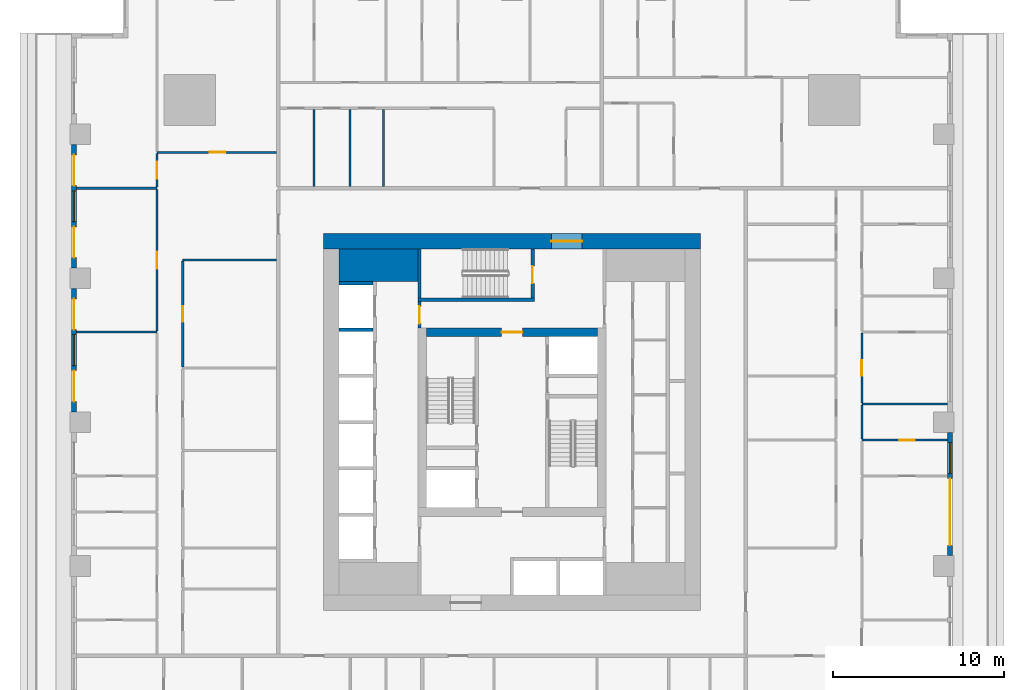
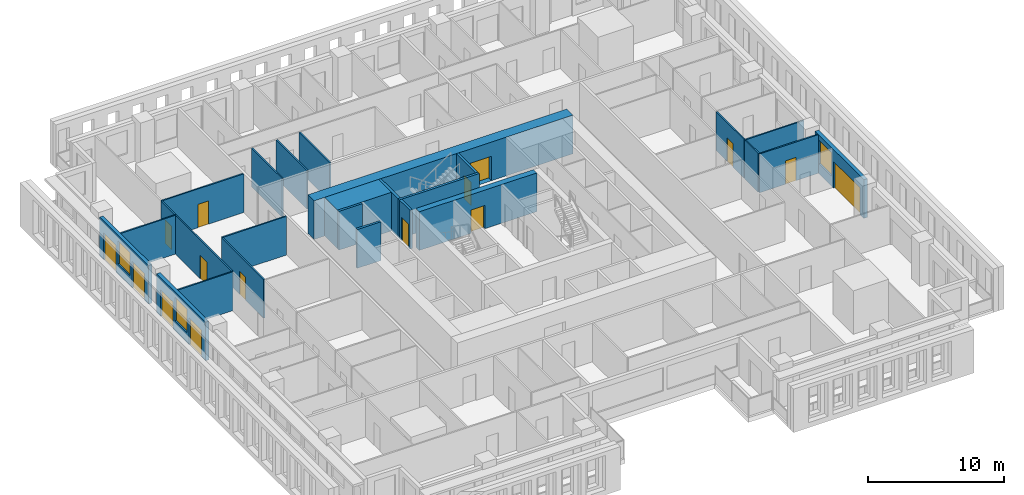
# One storey, part 6 of 15: 26 walls, 15 doors, 3 windows, 18 openings.
"""IFC4 building model written with IfcOpenShell, lengths in metres."""

from ifc_helpers import new_model, si_unit, direction, frame, frame_2d, origin, place, context, subcontext, project, spatial, rectangle, extrude, material, layer, layer_set, type_object, element, fill, save


model = new_model("IFC4")

# Units and contexts
model_context = context("Model", 3, precision=1e-05, world=origin(), true_north=direction((0.0, 1.0)))
body_context = subcontext(model_context, "Body", "Model", "MODEL_VIEW")
ifc_project = project(units=[si_unit("LENGTHUNIT", "METRE"), si_unit("AREAUNIT", "SQUARE_METRE"), si_unit("VOLUMEUNIT", "CUBIC_METRE"), si_unit("PLANEANGLEUNIT", "RADIAN"), si_unit("MASSUNIT", "GRAM", prefix="KILO")], contexts=[model_context])

# Site, building, storey
site_placement = place(None, origin())
site = spatial("IfcSite", under=ifc_project, at=site_placement, CompositionType="ELEMENT")
building_placement = place(site_placement, origin())
building = spatial("IfcBuilding", under=site, at=building_placement, Name="Khepri Terraces", CompositionType="ELEMENT")
storey_placement = place(building_placement, frame((0.0, 0.0, 42.60009765625)))
storey = spatial("IfcBuildingStorey", under=building, at=storey_placement, Name="L09", CompositionType="ELEMENT", Elevation=42.60009765625)

# Walls
ifc_material_1 = material(Name="Concrete C80/95", Category="concrete")
ifc_layer_1 = layer(ifc_material_1, 1.89990234375, Name="Concrete C80/95", Category="concrete")
ifc_layer_set_1 = layer_set([ifc_layer_1], Name="Concrete C80/95")
wall_type_1 = type_object("IfcWallType", Name="Core wall 1900 C80/95", PredefinedType="SHEAR", material=ifc_layer_set_1)
wall_1_placement = place(storey_placement, frame((-10.10009765625, 9.14990234375, 0.0), z_axis=(0.0, 0.0, 1.0), x_axis=(1.0, 0.0, 0.0)))
element("IfcWall", 1, at=wall_1_placement, inside=storey, type_object=wall_type_1, Name="Core wall PR03 L09", PredefinedType="SHEAR", context=body_context, shape_type="SweptSolid", body=[
    extrude(rectangle(XDim=4.60009765625, YDim=1.89990234375, at=frame_2d((2.300048828125, 0.0))), origin(), (0.0, 0.0, 1.0), 3.47998046875),
])
ifc_layer_2 = layer(ifc_material_1, 0.199951171875, Name="Concrete C80/95", Category="concrete")
ifc_layer_set_2 = layer_set([ifc_layer_2], Name="Concrete C80/95")
wall_type_2 = type_object("IfcWallType", Name="Core wall 200 C80/95", PredefinedType="SHEAR", material=ifc_layer_set_2)
wall_2_placement = place(storey_placement, frame((-5.5, 7.14990234375, 0.0), z_axis=(0.0, 0.0, 1.0), x_axis=(1.0, 0.0, 0.0)))
element("IfcWall", 2, at=wall_2_placement, inside=storey, type_object=wall_type_2, Name="Core wall ST05 L09", PredefinedType="SHEAR", context=body_context, shape_type="SweptSolid", body=[
    extrude(rectangle(XDim=6.800048828125, YDim=0.199951171875, at=frame_2d((3.39990234375, 0.0))), origin(), (0.0, 0.0, 1.0), 3.47998046875),
])
wall_3_placement = place(storey_placement, frame((-5.39990234375, 7.25, 0.0), z_axis=(0.0, 0.0, 1.0), x_axis=(0.0, 1.0, 0.0)))
element("IfcWall", 3, at=wall_3_placement, inside=storey, type_object=wall_type_2, Name="Core wall ST06 L09", PredefinedType="SHEAR", context=body_context, shape_type="SweptSolid", body=[
    extrude(rectangle(XDim=2.85009765625, YDim=0.199951171875, at=frame_2d((1.425048828125, 0.0))), origin(), (0.0, 0.0, 1.0), 3.47998046875),
])

# Wall, opening, door
wall_4_placement = place(storey_placement, frame((1.199951171875, 7.25, 0.0), z_axis=(0.0, 0.0, 1.0), x_axis=(0.0, 1.0, 0.0)))
wall_4 = element("IfcWall", 4, at=wall_4_placement, inside=storey, type_object=wall_type_2, Name="Core wall ST07 L09", PredefinedType="SHEAR", context=body_context, shape_type="SweptSolid", body=[
    extrude(rectangle(XDim=2.85009765625, YDim=0.199951171875, at=frame_2d((1.425048828125, 0.0))), origin(), (0.0, 0.0, 1.0), 3.47998046875),
])
opening_1_placement = place(wall_4_placement, frame((0.85009765625, 0.0, 0.0)))
opening_1 = element("IfcOpeningElement", 5, at=opening_1_placement, cuts=wall_4, Name="Opening L09-C15", PredefinedType="OPENING", context=body_context, shape_type="SweptSolid", body=[
    extrude(rectangle(XDim=1.0, YDim=2.10009765625, at=frame_2d((0.5, 1.050048828125))), frame((0.0, 0.10986328125, 0.0), z_axis=(0.0, -1.0, 0.0), x_axis=(1.0, 0.0, 0.0)), (0.0, 0.0, 1.0), 0.219970703125),
])
ifc_material_2 = material(Name="Painted steel", Category="steel")
door_type_1 = type_object("IfcDoorType", Name="DR-CORE-STAIR-1000", OperationType="NOTDEFINED", PredefinedType="DOOR", material=ifc_material_2)
door_1_placement = place(opening_1_placement, origin())
door_1 = element("IfcDoor", 6, at=door_1_placement, inside=storey, type_object=door_type_1, Name="Stair door L09-C15", OperationType="SINGLE_SWING_LEFT", OverallHeight=2.10009765625, OverallWidth=1.0, PredefinedType="DOOR", context=body_context, shape_type="SweptSolid", body=[
    extrude(rectangle(XDim=1.0, YDim=2.10009765625, at=frame_2d((0.5, 1.050048828125))), frame((0.0, 0.02490234375, 0.0), z_axis=(0.0, -1.0, 0.0), x_axis=(1.0, 0.0, 0.0)), (0.0, 0.0, 1.0), 0.050048828125),
])
fill(opening_1, door_1)

# Walls
for number, where, z_axis, x_axis, name in (
    (7, (-10.10009765625, 5.39990234375, 0.0), (0.0, 0.0, 1.0), (1.0, 0.0, 0.0), "Core wall SH19 L09"),
    (8, (-10.10009765625, 8.10009765625, 0.0), (0.0, 0.0, 1.0), (1.0, 0.0, 0.0), "Core wall SH20 L09"),
):
    element("IfcWall", number, at=place(storey_placement, frame(where, z_axis=z_axis, x_axis=x_axis)), inside=storey, type_object=wall_type_2, Name=name, PredefinedType="SHEAR", context=body_context, shape_type="SweptSolid", body=[
        extrude(rectangle(XDim=2.0, YDim=0.199951171875, at=frame_2d((1.0, 0.0))), origin(), (0.0, 0.0, 1.0), 3.47998046875),
    ])

# Wall, opening, door
ifc_layer_3 = layer(ifc_material_1, 0.5, Name="Concrete C80/95", Category="concrete")
ifc_layer_set_3 = layer_set([ifc_layer_3], Name="Concrete C80/95")
wall_type_3 = type_object("IfcWallType", Name="Core wall 500 C80/95", PredefinedType="SHEAR", material=ifc_layer_set_3)
wall_5_placement = place(storey_placement, frame((-5.0, 5.25, 0.0), z_axis=(0.0, 0.0, 1.0), x_axis=(1.0, 0.0, 0.0)))
wall_5 = element("IfcWall", 9, at=wall_5_placement, inside=storey, type_object=wall_type_3, Name="Core wall BX04 L09", PredefinedType="SHEAR", context=body_context, shape_type="SweptSolid", body=[
    extrude(rectangle(XDim=10.0, YDim=0.5, at=frame_2d((5.0, 0.0))), origin(), (0.0, 0.0, 1.0), 3.47998046875),
])
opening_2_placement = place(wall_5_placement, frame((4.39990234375, 0.0, 0.0)))
opening_2 = element("IfcOpeningElement", 10, at=opening_2_placement, cuts=wall_5, Name="Opening L09-C13", PredefinedType="OPENING", context=body_context, shape_type="SweptSolid", body=[
    extrude(rectangle(XDim=1.199951171875, YDim=2.10009765625, at=frame_2d((0.60009765625, 1.050048828125))), frame((0.0, 0.260009765625, 0.0), z_axis=(0.0, -1.0, 0.0), x_axis=(1.0, 0.0, 0.0)), (0.0, 0.0, 1.0), 0.52001953125),
])
door_type_2 = type_object("IfcDoorType", Name="DR-CORE-FF-LOBBY-1200", OperationType="NOTDEFINED", PredefinedType="DOOR", material=ifc_material_2)
door_2_placement = place(opening_2_placement, frame((1.199951171875, 0.0, 0.0), z_axis=(0.0, 0.0, 1.0), x_axis=(-1.0, 0.0, 0.0)))
door_2 = element("IfcDoor", 11, at=door_2_placement, inside=storey, type_object=door_type_2, Name="Firefighting lobby door L09-C13", OperationType="SINGLE_SWING_LEFT", OverallHeight=2.10009765625, OverallWidth=1.199951171875, PredefinedType="DOOR", context=body_context, shape_type="SweptSolid", body=[
    extrude(rectangle(XDim=1.199951171875, YDim=2.10009765625, at=frame_2d((0.60009765625, 1.050048828125))), frame((0.0, 0.02490234375, 0.0), z_axis=(0.0, -1.0, 0.0), x_axis=(1.0, 0.0, 0.0)), (0.0, 0.0, 1.0), 0.050048828125),
])
fill(opening_2, door_2)

ifc_layer_4 = layer(ifc_material_1, 0.89990234375, Name="Concrete C80/95", Category="concrete")
ifc_layer_set_4 = layer_set([ifc_layer_4], Name="Concrete C80/95")
wall_type_4 = type_object("IfcWallType", Name="Core wall 900 C80/95", PredefinedType="SHEAR", material=ifc_layer_set_4)
wall_6_placement = place(storey_placement, frame((-11.0, 10.550048828125, 0.0), z_axis=(0.0, 0.0, 1.0), x_axis=(1.0, 0.0, 0.0)))
wall_6 = element("IfcWall", 12, at=wall_6_placement, inside=storey, type_object=wall_type_4, Name="Core wall OW-N L09", PredefinedType="SHEAR", context=body_context, shape_type="SweptSolid", body=[
    extrude(rectangle(XDim=22.0, YDim=0.89990234375, at=frame_2d((11.0, 0.0))), origin(), (0.0, 0.0, 1.0), 3.47998046875),
])
opening_3_placement = place(wall_6_placement, frame((13.300048828125, 0.0, 0.0)))
opening_3 = element("IfcOpeningElement", 13, at=opening_3_placement, cuts=wall_6, Name="Opening L09-C20", PredefinedType="OPENING", context=body_context, shape_type="SweptSolid", body=[
    extrude(rectangle(XDim=1.800048828125, YDim=2.199951171875, at=frame_2d((0.89990234375, 1.10009765625))), frame((0.0, 0.4599609375, 0.0), z_axis=(0.0, -1.0, 0.0), x_axis=(1.0, 0.0, 0.0)), (0.0, 0.0, 1.0), 0.919921875),
])
door_type_3 = type_object("IfcDoorType", Name="DR-CORE-ENTRANCE-1800", OperationType="NOTDEFINED", PredefinedType="DOOR", material=ifc_material_2)
door_3_placement = place(opening_3_placement, origin())
door_3 = element("IfcDoor", 14, at=door_3_placement, inside=storey, type_object=door_type_3, Name="Core entrance door pair L09-C20", OperationType="DOUBLE_DOOR_SINGLE_SWING", OverallHeight=2.199951171875, OverallWidth=1.800048828125, PredefinedType="DOOR", context=body_context, shape_type="SweptSolid", body=[
    extrude(rectangle(XDim=1.800048828125, YDim=2.199951171875, at=frame_2d((0.89990234375, 1.10009765625))), frame((0.0, 0.02490234375, 0.0), z_axis=(0.0, -1.0, 0.0), x_axis=(1.0, 0.0, 0.0)), (0.0, 0.0, 1.0), 0.050048828125),
])
fill(opening_3, door_3)

ifc_material_3 = material(Name="Fire-rated gypsum board partition")
ifc_layer_5 = layer(ifc_material_3, 0.199951171875, Name="Fire-rated gypsum board partition")
ifc_layer_set_5 = layer_set([ifc_layer_5], Name="Fire-rated gypsum board partition")
wall_type_5 = type_object("IfcWallType", Name="WL-CORE-PART-200", PredefinedType="PARTITIONING", material=ifc_layer_set_5)
wall_7_placement = place(storey_placement, frame((-5.39990234375, 5.5, 0.0), z_axis=(0.0, 0.0, 1.0), x_axis=(0.0, 1.0, 0.0)))
wall_7 = element("IfcWall", 15, at=wall_7_placement, inside=storey, type_object=wall_type_5, Name="Core partition PT08 L09", PredefinedType="PARTITIONING", context=body_context, shape_type="SweptSolid", body=[
    extrude(rectangle(XDim=1.550048828125, YDim=0.199951171875, at=frame_2d((0.77490234375, 0.0))), origin(), (0.0, 0.0, 1.0), 3.47998046875),
])
opening_4_placement = place(wall_7_placement, frame((0.25, 0.0, 0.0)))
opening_4 = element("IfcOpeningElement", 16, at=opening_4_placement, cuts=wall_7, Name="Opening L09-C16", PredefinedType="OPENING", context=body_context, shape_type="SweptSolid", body=[
    extrude(rectangle(XDim=1.0, YDim=2.10009765625, at=frame_2d((0.5, 1.050048828125))), frame((0.0, 0.10986328125, 0.0), z_axis=(0.0, -1.0, 0.0), x_axis=(1.0, 0.0, 0.0)), (0.0, 0.0, 1.0), 0.219970703125),
])
door_type_4 = type_object("IfcDoorType", Name="DR-CORE-LOBBY-1000", OperationType="NOTDEFINED", PredefinedType="DOOR", material=ifc_material_2)
door_4_placement = place(opening_4_placement, frame((1.0, 0.0, 0.0), z_axis=(0.0, 0.0, 1.0), x_axis=(-1.0, 0.0, 0.0)))
door_4 = element("IfcDoor", 17, at=door_4_placement, inside=storey, type_object=door_type_4, Name="Lobby door L09-C16", OperationType="SINGLE_SWING_RIGHT", OverallHeight=2.10009765625, OverallWidth=1.0, PredefinedType="DOOR", context=body_context, shape_type="SweptSolid", body=[
    extrude(rectangle(XDim=1.0, YDim=2.10009765625, at=frame_2d((0.5, 1.050048828125))), frame((0.0, 0.02490234375, 0.0), z_axis=(0.0, -1.0, 0.0), x_axis=(1.0, 0.0, 0.0)), (0.0, 0.0, 1.0), 0.050048828125),
])
fill(opening_4, door_4)

# Wall, openings, door, window
ifc_material_4 = material(Name="Precast concrete C50/60 warm stone", Category="masonry")
ifc_layer_6 = layer(ifc_material_4, 0.300048828125, Name="Precast concrete C50/60 warm stone", Category="masonry")
ifc_layer_set_6 = layer_set([ifc_layer_6], Name="Precast concrete C50/60 warm stone")
wall_type_6 = type_object("IfcWallType", Name="WL-EXT-PRECAST-300", PredefinedType="STANDARD", material=ifc_layer_set_6)
wall_8_placement = place(storey_placement, frame((25.570068359375, -7.800048828125, 0.0), z_axis=(0.0, 0.0, 1.0), x_axis=(0.0, 1.0, 0.0)))
wall_8 = element("IfcWall", 18, at=wall_8_placement, inside=storey, type_object=wall_type_6, Name="External wall L09 E", PredefinedType="STANDARD", context=body_context, shape_type="SweptSolid", body=[
    extrude(rectangle(XDim=7.199951171875, YDim=0.300048828125, at=frame_2d((3.60009765625, 0.0))), origin(), (0.0, 0.0, 1.0), 3.47998046875),
])
opening_5_placement = place(wall_8_placement, frame((0.60009765625, 0.0, 0.0)))
opening_5 = element("IfcOpeningElement", 19, at=opening_5_placement, cuts=wall_8, Name="Opening ED-L09-04", PredefinedType="OPENING", context=body_context, shape_type="SweptSolid", body=[
    extrude(rectangle(XDim=3.89990234375, YDim=2.39990234375, at=frame_2d((1.949951171875, 1.199951171875))), frame((0.0, 0.16015625, 0.0), z_axis=(0.0, -1.0, 0.0), x_axis=(1.0, 0.0, 0.0)), (0.0, 0.0, 1.0), 0.320068359375),
])
opening_6_placement = place(wall_8_placement, frame((4.800048828125, 0.0, 0.89990234375)))
opening_6 = element("IfcOpeningElement", 20, at=opening_6_placement, cuts=wall_8, Name="Opening W1", PredefinedType="OPENING", context=body_context, shape_type="SweptSolid", body=[
    extrude(rectangle(XDim=1.800048828125, YDim=2.10009765625, at=frame_2d((0.89990234375, 1.050048828125))), frame((0.0, 0.16015625, 0.0), z_axis=(0.0, -1.0, 0.0), x_axis=(1.0, 0.0, 0.0)), (0.0, 0.0, 1.0), 0.320068359375),
])
ifc_material_5 = material(Name="Anodised aluminium bronze glazed door", Category="aluminium")
door_type_5 = type_object("IfcDoorType", Name="DR-BAL-SLIDE-3900x2400", OperationType="NOTDEFINED", PredefinedType="DOOR", material=ifc_material_5)
door_5_placement = place(opening_5_placement, origin())
door_5 = element("IfcDoor", 21, at=door_5_placement, inside=storey, type_object=door_type_5, Name="Balcony door L09 E", OperationType="SLIDING_TO_LEFT", OverallHeight=2.39990234375, OverallWidth=3.89990234375, PredefinedType="DOOR", context=body_context, shape_type="SweptSolid", body=[
    extrude(rectangle(XDim=3.89990234375, YDim=2.39990234375, at=frame_2d((1.949951171875, 1.199951171875))), frame((0.0, 0.02490234375, 0.0), z_axis=(0.0, -1.0, 0.0), x_axis=(1.0, 0.0, 0.0)), (0.0, 0.0, 1.0), 0.050048828125),
])
fill(opening_5, door_5)
ifc_material_6 = material(Name="Clear glass", Category="glass")
window_type = type_object("IfcWindowType", Name="WIN-RES-1800x2100", PartitioningType="SINGLE_PANEL", PredefinedType="WINDOW", material=ifc_material_6)
window_1_placement = place(opening_6_placement, origin())
window_1 = element("IfcWindow", 22, at=window_1_placement, inside=storey, type_object=window_type, Name="Window L09 E", OverallHeight=2.10009765625, OverallWidth=1.800048828125, PartitioningType="SINGLE_PANEL", PredefinedType="WINDOW", context=body_context, shape_type="SweptSolid", body=[
    extrude(rectangle(XDim=1.800048828125, YDim=2.10009765625, at=frame_2d((0.89990234375, 1.050048828125))), frame((0.0, 0.030029296875, 0.0), z_axis=(0.0, -1.0, 0.0), x_axis=(1.0, 0.0, 0.0)), (0.0, 0.0, 1.0), 0.06005859375),
])
fill(opening_6, window_1)

# Wall, openings, doors, window
wall_9_placement = place(storey_placement, frame((-25.570068359375, 16.199951171875, 0.0), z_axis=(0.0, 0.0, 1.0), x_axis=(0.0, -1.0, 0.0)))
wall_9 = element("IfcWall", 23, at=wall_9_placement, inside=storey, type_object=wall_type_6, Name="External wall L09 W", PredefinedType="STANDARD", context=body_context, shape_type="SweptSolid", body=[
    extrude(rectangle(XDim=7.199951171875, YDim=0.300048828125, at=frame_2d((3.60009765625, 0.0))), origin(), (0.0, 0.0, 1.0), 3.47998046875),
])
opening_7_placement = place(wall_9_placement, frame((0.60009765625, 0.0, 0.0)))
opening_7 = element("IfcOpeningElement", 24, at=opening_7_placement, cuts=wall_9, Name="Opening ED-L09-13", PredefinedType="OPENING", context=body_context, shape_type="SweptSolid", body=[
    extrude(rectangle(XDim=1.800048828125, YDim=2.39990234375, at=frame_2d((0.89990234375, 1.199951171875))), frame((0.0, 0.16015625, 0.0), z_axis=(0.0, -1.0, 0.0), x_axis=(1.0, 0.0, 0.0)), (0.0, 0.0, 1.0), 0.320068359375),
])
opening_8_placement = place(wall_9_placement, frame((2.699951171875, 0.0, 0.89990234375)))
opening_8 = element("IfcOpeningElement", 25, at=opening_8_placement, cuts=wall_9, Name="Opening W1", PredefinedType="OPENING", context=body_context, shape_type="SweptSolid", body=[
    extrude(rectangle(XDim=1.800048828125, YDim=2.10009765625, at=frame_2d((0.89990234375, 1.050048828125))), frame((0.0, 0.16015625, 0.0), z_axis=(0.0, -1.0, 0.0), x_axis=(1.0, 0.0, 0.0)), (0.0, 0.0, 1.0), 0.320068359375),
])
opening_9_placement = place(wall_9_placement, frame((4.800048828125, 0.0, 0.0)))
opening_9 = element("IfcOpeningElement", 26, at=opening_9_placement, cuts=wall_9, Name="Opening ED-L09-14", PredefinedType="OPENING", context=body_context, shape_type="SweptSolid", body=[
    extrude(rectangle(XDim=1.800048828125, YDim=2.39990234375, at=frame_2d((0.89990234375, 1.199951171875))), frame((0.0, 0.16015625, 0.0), z_axis=(0.0, -1.0, 0.0), x_axis=(1.0, 0.0, 0.0)), (0.0, 0.0, 1.0), 0.320068359375),
])
door_type_6 = type_object("IfcDoorType", Name="DR-BAL-SLIDE-1800x2400", OperationType="NOTDEFINED", PredefinedType="DOOR", material=ifc_material_5)
door_6_placement = place(opening_7_placement, origin())
door_6 = element("IfcDoor", 27, at=door_6_placement, inside=storey, type_object=door_type_6, Name="Balcony door L09 W", OperationType="SLIDING_TO_LEFT", OverallHeight=2.39990234375, OverallWidth=1.800048828125, PredefinedType="DOOR", context=body_context, shape_type="SweptSolid", body=[
    extrude(rectangle(XDim=1.800048828125, YDim=2.39990234375, at=frame_2d((0.89990234375, 1.199951171875))), frame((0.0, 0.02490234375, 0.0), z_axis=(0.0, -1.0, 0.0), x_axis=(1.0, 0.0, 0.0)), (0.0, 0.0, 1.0), 0.050048828125),
])
fill(opening_7, door_6)
door_7_placement = place(opening_9_placement, origin())
door_7 = element("IfcDoor", 28, at=door_7_placement, inside=storey, type_object=door_type_6, Name="Balcony door L09 W", OperationType="SLIDING_TO_RIGHT", OverallHeight=2.39990234375, OverallWidth=1.800048828125, PredefinedType="DOOR", context=body_context, shape_type="SweptSolid", body=[
    extrude(rectangle(XDim=1.800048828125, YDim=2.39990234375, at=frame_2d((0.89990234375, 1.199951171875))), frame((0.0, 0.02490234375, 0.0), z_axis=(0.0, -1.0, 0.0), x_axis=(1.0, 0.0, 0.0)), (0.0, 0.0, 1.0), 0.050048828125),
])
fill(opening_9, door_7)
window_2_placement = place(opening_8_placement, origin())
window_2 = element("IfcWindow", 29, at=window_2_placement, inside=storey, type_object=window_type, Name="Window L09 W", OverallHeight=2.10009765625, OverallWidth=1.800048828125, PartitioningType="SINGLE_PANEL", PredefinedType="WINDOW", context=body_context, shape_type="SweptSolid", body=[
    extrude(rectangle(XDim=1.800048828125, YDim=2.10009765625, at=frame_2d((0.89990234375, 1.050048828125))), frame((0.0, 0.030029296875, 0.0), z_axis=(0.0, -1.0, 0.0), x_axis=(1.0, 0.0, 0.0)), (0.0, 0.0, 1.0), 0.06005859375),
])
fill(opening_8, window_2)

wall_10_placement = place(storey_placement, frame((-25.570068359375, 7.800048828125, 0.0), z_axis=(0.0, 0.0, 1.0), x_axis=(0.0, -1.0, 0.0)))
wall_10 = element("IfcWall", 30, at=wall_10_placement, inside=storey, type_object=wall_type_6, Name="External wall L09 W", PredefinedType="STANDARD", context=body_context, shape_type="SweptSolid", body=[
    extrude(rectangle(XDim=7.199951171875, YDim=0.300048828125, at=frame_2d((3.60009765625, 0.0))), origin(), (0.0, 0.0, 1.0), 3.47998046875),
])
opening_10_placement = place(wall_10_placement, frame((0.60009765625, 0.0, 0.0)))
opening_10 = element("IfcOpeningElement", 31, at=opening_10_placement, cuts=wall_10, Name="Opening ED-L09-15", PredefinedType="OPENING", context=body_context, shape_type="SweptSolid", body=[
    extrude(rectangle(XDim=1.800048828125, YDim=2.39990234375, at=frame_2d((0.89990234375, 1.199951171875))), frame((0.0, 0.16015625, 0.0), z_axis=(0.0, -1.0, 0.0), x_axis=(1.0, 0.0, 0.0)), (0.0, 0.0, 1.0), 0.320068359375),
])
opening_11_placement = place(wall_10_placement, frame((2.699951171875, 0.0, 0.89990234375)))
opening_11 = element("IfcOpeningElement", 32, at=opening_11_placement, cuts=wall_10, Name="Opening W1", PredefinedType="OPENING", context=body_context, shape_type="SweptSolid", body=[
    extrude(rectangle(XDim=1.800048828125, YDim=2.10009765625, at=frame_2d((0.89990234375, 1.050048828125))), frame((0.0, 0.16015625, 0.0), z_axis=(0.0, -1.0, 0.0), x_axis=(1.0, 0.0, 0.0)), (0.0, 0.0, 1.0), 0.320068359375),
])
opening_12_placement = place(wall_10_placement, frame((4.800048828125, 0.0, 0.0)))
opening_12 = element("IfcOpeningElement", 33, at=opening_12_placement, cuts=wall_10, Name="Opening ED-L09-16", PredefinedType="OPENING", context=body_context, shape_type="SweptSolid", body=[
    extrude(rectangle(XDim=1.800048828125, YDim=2.39990234375, at=frame_2d((0.89990234375, 1.199951171875))), frame((0.0, 0.16015625, 0.0), z_axis=(0.0, -1.0, 0.0), x_axis=(1.0, 0.0, 0.0)), (0.0, 0.0, 1.0), 0.320068359375),
])
door_8_placement = place(opening_10_placement, origin())
door_8 = element("IfcDoor", 34, at=door_8_placement, inside=storey, type_object=door_type_6, Name="Balcony door L09 W", OperationType="SLIDING_TO_LEFT", OverallHeight=2.39990234375, OverallWidth=1.800048828125, PredefinedType="DOOR", context=body_context, shape_type="SweptSolid", body=[
    extrude(rectangle(XDim=1.800048828125, YDim=2.39990234375, at=frame_2d((0.89990234375, 1.199951171875))), frame((0.0, 0.02490234375, 0.0), z_axis=(0.0, -1.0, 0.0), x_axis=(1.0, 0.0, 0.0)), (0.0, 0.0, 1.0), 0.050048828125),
])
fill(opening_10, door_8)
door_9_placement = place(opening_12_placement, origin())
door_9 = element("IfcDoor", 35, at=door_9_placement, inside=storey, type_object=door_type_6, Name="Balcony door L09 W", OperationType="SLIDING_TO_RIGHT", OverallHeight=2.39990234375, OverallWidth=1.800048828125, PredefinedType="DOOR", context=body_context, shape_type="SweptSolid", body=[
    extrude(rectangle(XDim=1.800048828125, YDim=2.39990234375, at=frame_2d((0.89990234375, 1.199951171875))), frame((0.0, 0.02490234375, 0.0), z_axis=(0.0, -1.0, 0.0), x_axis=(1.0, 0.0, 0.0)), (0.0, 0.0, 1.0), 0.050048828125),
])
fill(opening_12, door_9)
window_3_placement = place(opening_11_placement, origin())
window_3 = element("IfcWindow", 36, at=window_3_placement, inside=storey, type_object=window_type, Name="Window L09 W", OverallHeight=2.10009765625, OverallWidth=1.800048828125, PartitioningType="SINGLE_PANEL", PredefinedType="WINDOW", context=body_context, shape_type="SweptSolid", body=[
    extrude(rectangle(XDim=1.800048828125, YDim=2.10009765625, at=frame_2d((0.89990234375, 1.050048828125))), frame((0.0, 0.030029296875, 0.0), z_axis=(0.0, -1.0, 0.0), x_axis=(1.0, 0.0, 0.0)), (0.0, 0.0, 1.0), 0.06005859375),
])
fill(opening_11, window_3)

# Wall, opening, door
ifc_material_7 = material(Name="Gypsum plasterboard partition")
ifc_layer_7 = layer(ifc_material_7, 0.1201171875, Name="Gypsum plasterboard partition")
ifc_layer_set_7 = layer_set([ifc_layer_7], Name="Gypsum plasterboard partition")
wall_type_7 = type_object("IfcWallType", Name="WL-PART-120", PredefinedType="PARTITIONING", material=ifc_layer_set_7)
wall_11_placement = place(storey_placement, frame((20.419921875, -1.050048828125, 0.0), z_axis=(0.0, 0.0, 1.0), x_axis=(1.0, 0.0, 0.0)))
wall_11 = element("IfcWall", 37, at=wall_11_placement, inside=storey, type_object=wall_type_7, Name="Partition P-046 L09", PredefinedType="PARTITIONING", context=body_context, shape_type="SweptSolid", body=[
    extrude(rectangle(XDim=5.0, YDim=0.1201171875, at=frame_2d((2.5, 0.0))), origin(), (0.0, 0.0, 1.0), 3.47998046875),
])
opening_13_placement = place(wall_11_placement, frame((2.199951171875, 0.0, 0.0)))
opening_13 = element("IfcOpeningElement", 38, at=opening_13_placement, cuts=wall_11, Name="Opening D4", PredefinedType="OPENING", context=body_context, shape_type="SweptSolid", body=[
    extrude(rectangle(XDim=0.89990234375, YDim=2.10009765625, at=frame_2d((0.449951171875, 1.050048828125))), frame((0.0, 0.070068359375, 0.0), z_axis=(0.0, -1.0, 0.0), x_axis=(1.0, 0.0, 0.0)), (0.0, 0.0, 1.0), 0.14013671875),
])
ifc_material_8 = material(Name="Timber door leaf, moisture resistant", Category="wood")
door_type_7 = type_object("IfcDoorType", Name="DR-WET-900", OperationType="NOTDEFINED", PredefinedType="DOOR", material=ifc_material_8)
door_10_placement = place(opening_13_placement, origin())
door_10 = element("IfcDoor", 39, at=door_10_placement, inside=storey, type_object=door_type_7, Name="Door Bathroom", OperationType="SINGLE_SWING_RIGHT", OverallHeight=2.10009765625, OverallWidth=0.89990234375, PredefinedType="DOOR", context=body_context, shape_type="SweptSolid", body=[
    extrude(rectangle(XDim=0.89990234375, YDim=2.10009765625, at=frame_2d((0.449951171875, 1.050048828125))), frame((0.0, 0.02490234375, 0.0), z_axis=(0.0, -1.0, 0.0), x_axis=(1.0, 0.0, 0.0)), (0.0, 0.0, 1.0), 0.050048828125),
])
fill(opening_13, door_10)

# Walls
wall_12_placement = place(storey_placement, frame((20.419921875, -0.989990234375, 0.0), z_axis=(0.0, 0.0, 1.0), x_axis=(0.0, 1.0, 0.0)))
element("IfcWall", 40, at=wall_12_placement, inside=storey, type_object=wall_type_7, Name="Partition P-048 L09", PredefinedType="PARTITIONING", context=body_context, shape_type="SweptSolid", body=[
    extrude(rectangle(XDim=1.97998046875, YDim=0.1201171875, at=frame_2d((0.989990234375, 0.0))), origin(), (0.0, 0.0, 1.0), 3.47998046875),
])
wall_13_placement = place(storey_placement, frame((20.419921875, 1.050048828125, 0.0), z_axis=(0.0, 0.0, 1.0), x_axis=(1.0, 0.0, 0.0)))
element("IfcWall", 41, at=wall_13_placement, inside=storey, type_object=wall_type_7, Name="Partition P-049 L09", PredefinedType="PARTITIONING", context=body_context, shape_type="SweptSolid", body=[
    extrude(rectangle(XDim=5.0, YDim=0.1201171875, at=frame_2d((2.5, 0.0))), origin(), (0.0, 0.0, 1.0), 3.47998046875),
])

# Wall, opening, door
wall_14_placement = place(storey_placement, frame((20.419921875, 1.110107421875, 0.0), z_axis=(0.0, 0.0, 1.0), x_axis=(0.0, 1.0, 0.0)))
wall_14 = element("IfcWall", 42, at=wall_14_placement, inside=storey, type_object=wall_type_7, Name="Partition P-050 L09", PredefinedType="PARTITIONING", context=body_context, shape_type="SweptSolid", body=[
    extrude(rectangle(XDim=4.079833984375, YDim=0.1201171875, at=frame_2d((2.0400390625, 0.0))), origin(), (0.0, 0.0, 1.0), 3.47998046875),
])
opening_14_placement = place(wall_14_placement, frame((1.590087890625, 0.0, 0.0)))
opening_14 = element("IfcOpeningElement", 43, at=opening_14_placement, cuts=wall_14, Name="Opening D3", PredefinedType="OPENING", context=body_context, shape_type="SweptSolid", body=[
    extrude(rectangle(XDim=0.89990234375, YDim=2.10009765625, at=frame_2d((0.449951171875, 1.050048828125))), frame((0.0, 0.070068359375, 0.0), z_axis=(0.0, -1.0, 0.0), x_axis=(1.0, 0.0, 0.0)), (0.0, 0.0, 1.0), 0.14013671875),
])
ifc_material_9 = material(Name="Timber door leaf", Category="wood")
door_type_8 = type_object("IfcDoorType", Name="DR-INT-900", OperationType="NOTDEFINED", PredefinedType="DOOR", material=ifc_material_9)
door_11_placement = place(opening_14_placement, frame((0.89990234375, 0.0, 0.0), z_axis=(0.0, 0.0, 1.0), x_axis=(-1.0, 0.0, 0.0)))
door_11 = element("IfcDoor", 44, at=door_11_placement, inside=storey, type_object=door_type_8, Name="Door Bedroom", OperationType="SINGLE_SWING_LEFT", OverallHeight=2.10009765625, OverallWidth=0.89990234375, PredefinedType="DOOR", context=body_context, shape_type="SweptSolid", body=[
    extrude(rectangle(XDim=0.89990234375, YDim=2.10009765625, at=frame_2d((0.449951171875, 1.050048828125))), frame((0.0, 0.02490234375, 0.0), z_axis=(0.0, -1.0, 0.0), x_axis=(1.0, 0.0, 0.0)), (0.0, 0.0, 1.0), 0.050048828125),
])
fill(opening_14, door_11)

wall_15_placement = place(storey_placement, frame((-19.219970703125, 3.2099609375, 0.0), z_axis=(0.0, 0.0, 1.0), x_axis=(0.0, 1.0, 0.0)))
wall_15 = element("IfcWall", 45, at=wall_15_placement, inside=storey, type_object=wall_type_7, Name="Partition P-054 L09", PredefinedType="PARTITIONING", context=body_context, shape_type="SweptSolid", body=[
    extrude(rectangle(XDim=6.179931640625, YDim=0.1201171875, at=frame_2d((3.08984375, 0.0))), origin(), (0.0, 0.0, 1.0), 3.47998046875),
])
opening_15_placement = place(wall_15_placement, frame((2.639892578125, 0.0, 0.0)))
opening_15 = element("IfcOpeningElement", 46, at=opening_15_placement, cuts=wall_15, Name="Opening D3", PredefinedType="OPENING", context=body_context, shape_type="SweptSolid", body=[
    extrude(rectangle(XDim=0.89990234375, YDim=2.10009765625, at=frame_2d((0.449951171875, 1.050048828125))), frame((0.0, 0.070068359375, 0.0), z_axis=(0.0, -1.0, 0.0), x_axis=(1.0, 0.0, 0.0)), (0.0, 0.0, 1.0), 0.14013671875),
])
door_12_placement = place(opening_15_placement, frame((0.89990234375, 0.0, 0.0), z_axis=(0.0, 0.0, 1.0), x_axis=(-1.0, 0.0, 0.0)))
door_12 = element("IfcDoor", 47, at=door_12_placement, inside=storey, type_object=door_type_8, Name="Door Kitchen", OperationType="SINGLE_SWING_RIGHT", OverallHeight=2.10009765625, OverallWidth=0.89990234375, PredefinedType="DOOR", context=body_context, shape_type="SweptSolid", body=[
    extrude(rectangle(XDim=0.89990234375, YDim=2.10009765625, at=frame_2d((0.449951171875, 1.050048828125))), frame((0.0, 0.02490234375, 0.0), z_axis=(0.0, -1.0, 0.0), x_axis=(1.0, 0.0, 0.0)), (0.0, 0.0, 1.0), 0.050048828125),
])
fill(opening_15, door_12)

# Wall
wall_16_placement = place(storey_placement, frame((-25.419921875, 5.25, 0.0), z_axis=(0.0, 0.0, 1.0), x_axis=(1.0, 0.0, 0.0)))
element("IfcWall", 48, at=wall_16_placement, inside=storey, type_object=wall_type_7, Name="Partition P-055 L09", PredefinedType="PARTITIONING", context=body_context, shape_type="SweptSolid", body=[
    extrude(rectangle(XDim=4.699951171875, YDim=0.1201171875, at=frame_2d((2.35009765625, 0.0))), origin(), (0.0, 0.0, 1.0), 3.47998046875),
])

# Wall, opening, door
wall_17_placement = place(storey_placement, frame((-20.719970703125, 5.31005859375, 0.0), z_axis=(0.0, 0.0, 1.0), x_axis=(0.0, 1.0, 0.0)))
wall_17 = element("IfcWall", 49, at=wall_17_placement, inside=storey, type_object=wall_type_7, Name="Partition P-057 L09", PredefinedType="PARTITIONING", context=body_context, shape_type="SweptSolid", body=[
    extrude(rectangle(XDim=8.280029296875, YDim=0.1201171875, at=frame_2d((4.14013671875, 0.0))), origin(), (0.0, 0.0, 1.0), 3.47998046875),
])
opening_16_placement = place(wall_17_placement, frame((3.639892578125, 0.0, 0.0)))
opening_16 = element("IfcOpeningElement", 50, at=opening_16_placement, cuts=wall_17, Name="Opening D2", PredefinedType="OPENING", context=body_context, shape_type="SweptSolid", body=[
    extrude(rectangle(XDim=1.0, YDim=2.10009765625, at=frame_2d((0.5, 1.050048828125))), frame((0.0, 0.070068359375, 0.0), z_axis=(0.0, -1.0, 0.0), x_axis=(1.0, 0.0, 0.0)), (0.0, 0.0, 1.0), 0.14013671875),
])
ifc_material_10 = material(Name="Timber door leaf, living room door", Category="wood")
door_type_9 = type_object("IfcDoorType", Name="DR-INT-1000", OperationType="NOTDEFINED", PredefinedType="DOOR", material=ifc_material_10)
door_13_placement = place(opening_16_placement, origin())
door_13 = element("IfcDoor", 51, at=door_13_placement, inside=storey, type_object=door_type_9, Name="Door Family Room", OperationType="SINGLE_SWING_LEFT", OverallHeight=2.10009765625, OverallWidth=1.0, PredefinedType="DOOR", context=body_context, shape_type="SweptSolid", body=[
    extrude(rectangle(XDim=1.0, YDim=2.10009765625, at=frame_2d((0.5, 1.050048828125))), frame((0.0, 0.02490234375, 0.0), z_axis=(0.0, -1.0, 0.0), x_axis=(1.0, 0.0, 0.0)), (0.0, 0.0, 1.0), 0.050048828125),
])
fill(opening_16, door_13)

# Walls
wall_18_placement = place(storey_placement, frame((-19.219970703125, 9.449951171875, 0.0), z_axis=(0.0, 0.0, 1.0), x_axis=(1.0, 0.0, 0.0)))
element("IfcWall", 52, at=wall_18_placement, inside=storey, type_object=wall_type_7, Name="Partition P-061 L09", PredefinedType="PARTITIONING", context=body_context, shape_type="SweptSolid", body=[
    extrude(rectangle(XDim=5.469970703125, YDim=0.1201171875, at=frame_2d((2.73486328125, 0.0))), origin(), (0.0, 0.0, 1.0), 3.47998046875),
])
wall_19_placement = place(storey_placement, frame((-25.419921875, 13.64990234375, 0.0), z_axis=(0.0, 0.0, 1.0), x_axis=(1.0, 0.0, 0.0)))
element("IfcWall", 53, at=wall_19_placement, inside=storey, type_object=wall_type_7, Name="Partition P-068 L09", PredefinedType="PARTITIONING", context=body_context, shape_type="SweptSolid", body=[
    extrude(rectangle(XDim=4.699951171875, YDim=0.1201171875, at=frame_2d((2.35009765625, 0.0))), origin(), (0.0, 0.0, 1.0), 3.47998046875),
])

# Wall, opening, door
wall_20_placement = place(storey_placement, frame((-20.719970703125, 13.7099609375, 0.0), z_axis=(0.0, 0.0, 1.0), x_axis=(0.0, 1.0, 0.0)))
wall_20 = element("IfcWall", 54, at=wall_20_placement, inside=storey, type_object=wall_type_7, Name="Partition P-070 L09", PredefinedType="PARTITIONING", context=body_context, shape_type="SweptSolid", body=[
    extrude(rectangle(XDim=1.97998046875, YDim=0.1201171875, at=frame_2d((0.989990234375, 0.0))), origin(), (0.0, 0.0, 1.0), 3.47998046875),
])
opening_17_placement = place(wall_20_placement, frame((0.489990234375, 0.0, 0.0)))
opening_17 = element("IfcOpeningElement", 55, at=opening_17_placement, cuts=wall_20, Name="Opening D2", PredefinedType="OPENING", context=body_context, shape_type="SweptSolid", body=[
    extrude(rectangle(XDim=1.0, YDim=2.10009765625, at=frame_2d((0.5, 1.050048828125))), frame((0.0, 0.070068359375, 0.0), z_axis=(0.0, -1.0, 0.0), x_axis=(1.0, 0.0, 0.0)), (0.0, 0.0, 1.0), 0.14013671875),
])
door_14_placement = place(opening_17_placement, origin())
door_14 = element("IfcDoor", 56, at=door_14_placement, inside=storey, type_object=door_type_9, Name="Door Living Room", OperationType="SINGLE_SWING_LEFT", OverallHeight=2.10009765625, OverallWidth=1.0, PredefinedType="DOOR", context=body_context, shape_type="SweptSolid", body=[
    extrude(rectangle(XDim=1.0, YDim=2.10009765625, at=frame_2d((0.5, 1.050048828125))), frame((0.0, 0.02490234375, 0.0), z_axis=(0.0, -1.0, 0.0), x_axis=(1.0, 0.0, 0.0)), (0.0, 0.0, 1.0), 0.050048828125),
])
fill(opening_17, door_14)

# Walls
for number, where, z_axis, x_axis, name in (
    (57, (-11.550048828125, 13.75, 0.0), (0.0, 0.0, 1.0), (0.0, 1.0, 0.0), "Partition P-072 L09"),
    (58, (-9.449951171875, 13.75, 0.0), (0.0, 0.0, 1.0), (0.0, 1.0, 0.0), "Partition P-073 L09"),
    (59, (-7.5, 13.75, 0.0), (0.0, 0.0, 1.0), (0.0, 1.0, 0.0), "Partition P-074 L09"),
):
    element("IfcWall", number, at=place(storey_placement, frame(where, z_axis=z_axis, x_axis=x_axis)), inside=storey, type_object=wall_type_7, Name=name, PredefinedType="PARTITIONING", context=body_context, shape_type="SweptSolid", body=[
        extrude(rectangle(XDim=4.510009765625, YDim=0.1201171875, at=frame_2d((2.2548828125, 0.0))), origin(), (0.0, 0.0, 1.0), 3.47998046875),
    ])

# Wall, opening, door
wall_21_placement = place(storey_placement, frame((-20.719970703125, 15.75, 0.0), z_axis=(0.0, 0.0, 1.0), x_axis=(1.0, 0.0, 0.0)))
wall_21 = element("IfcWall", 60, at=wall_21_placement, inside=storey, type_object=wall_type_7, Name="Partition P-081 L09", PredefinedType="PARTITIONING", context=body_context, shape_type="SweptSolid", body=[
    extrude(rectangle(XDim=6.969970703125, YDim=0.1201171875, at=frame_2d((3.48486328125, 0.0))), origin(), (0.0, 0.0, 1.0), 3.47998046875),
])
opening_18_placement = place(wall_21_placement, frame((3.0849609375, 0.0, 0.0)))
opening_18 = element("IfcOpeningElement", 61, at=opening_18_placement, cuts=wall_21, Name="Opening D3", PredefinedType="OPENING", context=body_context, shape_type="SweptSolid", body=[
    extrude(rectangle(XDim=0.89990234375, YDim=2.10009765625, at=frame_2d((0.449951171875, 1.050048828125))), frame((0.0, 0.070068359375, 0.0), z_axis=(0.0, -1.0, 0.0), x_axis=(1.0, 0.0, 0.0)), (0.0, 0.0, 1.0), 0.14013671875),
])
door_15_placement = place(opening_18_placement, origin())
door_15 = element("IfcDoor", 62, at=door_15_placement, inside=storey, type_object=door_type_8, Name="Door Home Gym", OperationType="SINGLE_SWING_RIGHT", OverallHeight=2.10009765625, OverallWidth=0.89990234375, PredefinedType="DOOR", context=body_context, shape_type="SweptSolid", body=[
    extrude(rectangle(XDim=0.89990234375, YDim=2.10009765625, at=frame_2d((0.449951171875, 1.050048828125))), frame((0.0, 0.02490234375, 0.0), z_axis=(0.0, -1.0, 0.0), x_axis=(1.0, 0.0, 0.0)), (0.0, 0.0, 1.0), 0.050048828125),
])
fill(opening_18, door_15)

save(model, "model.ifc")
